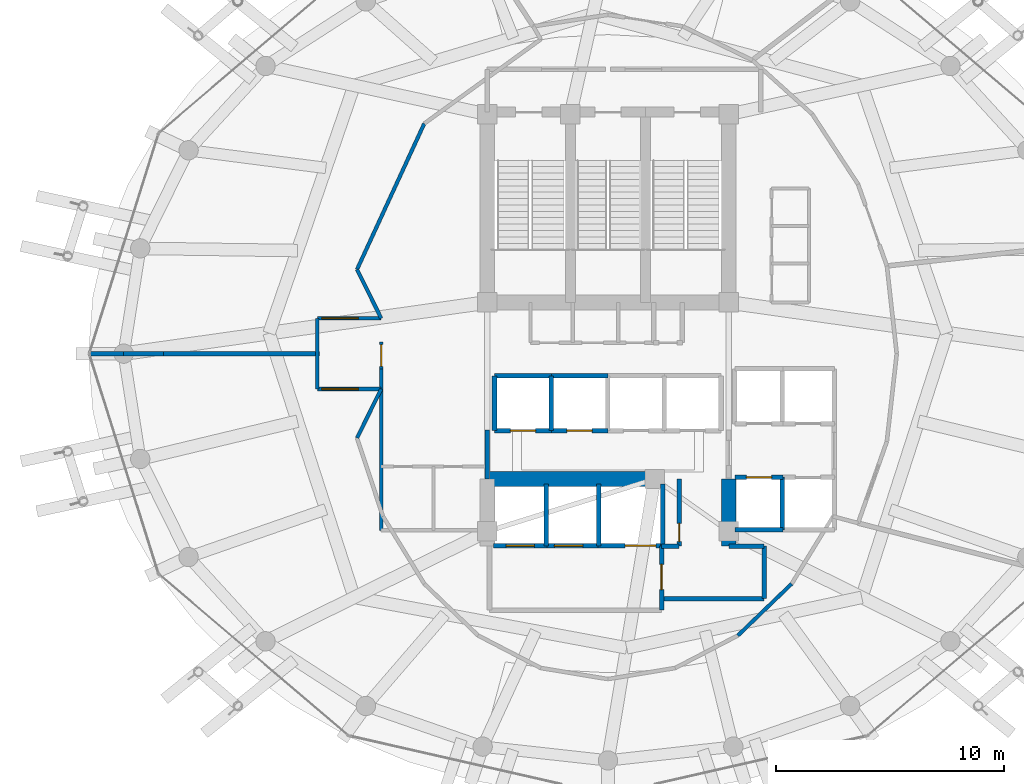
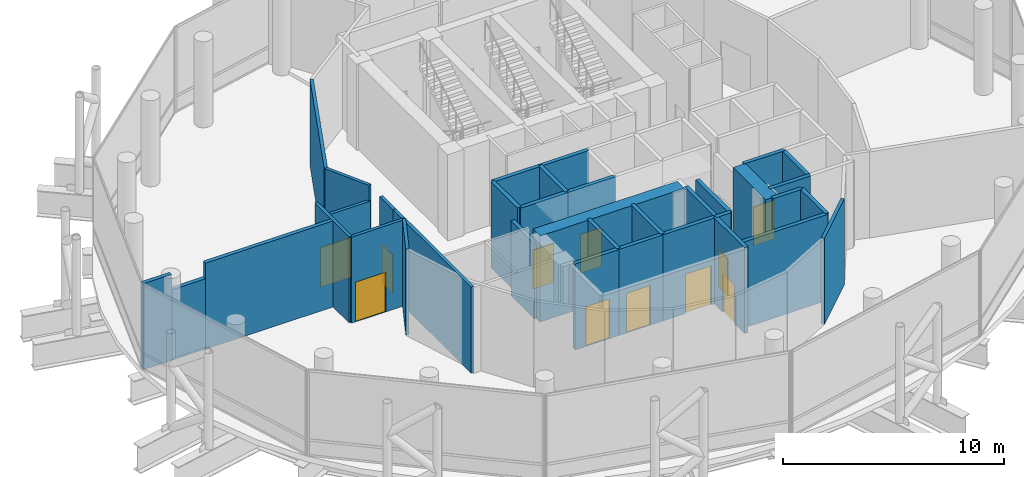
# One storey, part 24 of 31: 36 walls, 11 doors, 11 openings.
"""IFC4 building model written with IfcOpenShell, lengths in metres."""

from ifc_helpers import new_model, si_unit, direction, frame, frame_2d, origin, place, context, subcontext, project, spatial, rectangle, extrude, material, layer, layer_set, type_object, element, fill, save


model = new_model("IFC4")

# Units and contexts
model_context = context("Model", 3, precision=1e-05, world=origin(), true_north=direction((0.0, 1.0)))
body_context = subcontext(model_context, "Body", "Model", "MODEL_VIEW")
ifc_project = project(units=[si_unit("LENGTHUNIT", "METRE"), si_unit("AREAUNIT", "SQUARE_METRE"), si_unit("VOLUMEUNIT", "CUBIC_METRE"), si_unit("PLANEANGLEUNIT", "RADIAN"), si_unit("MASSUNIT", "GRAM", prefix="KILO")], contexts=[model_context])

# Site, building, storey
site_placement = place(None, origin())
site = spatial("IfcSite", under=ifc_project, at=site_placement, CompositionType="ELEMENT")
building_placement = place(site_placement, origin())
building = spatial("IfcBuilding", under=site, at=building_placement, Name="Nuhasar Tower", CompositionType="ELEMENT")
storey_placement = place(building_placement, frame((0.0, 0.0, 203.14990234375)))
storey = spatial("IfcBuildingStorey", under=building, at=storey_placement, Name="L49", CompositionType="ELEMENT", Elevation=203.14990234375)

# Walls
ifc_material_1 = material(Name="Concrete C65/80", Category="concrete")
ifc_layer_1 = layer(ifc_material_1, 0.64990234375)
ifc_layer_set_1 = layer_set([ifc_layer_1], Name="Concrete C65/80")
wall_type_1 = type_object("IfcWallType", Name="WL-CORE-650", PredefinedType="SHEAR", material=ifc_layer_set_1)
wall_1_placement = place(storey_placement, frame((44.300048828125, 18.35009765625, 0.0), z_axis=(0.0, 0.0, 1.0), x_axis=(0.0, 1.0, 0.0)))
element("IfcWall", 1, at=wall_1_placement, inside=storey, type_object=wall_type_1, Name="L49 Core Shear Wall CW-SE CW-650", PredefinedType="SHEAR", context=body_context, shape_type="SweptSolid", body=[
    extrude(rectangle(XDim=2.949951171875, YDim=0.64990234375, at=frame_2d((1.47509765625, 0.0))), origin(), (0.0, 0.0, 1.0), 4.760009765625),
])
wall_2_placement = place(storey_placement, frame((33.699951171875, 21.300048828125, 0.0), z_axis=(0.0, 0.0, 1.0), x_axis=(1.0, 0.0, 0.0)))
element("IfcWall", 2, at=wall_2_placement, inside=storey, type_object=wall_type_1, Name="L49 Core Shear Wall CW-S1 CW-650", PredefinedType="SHEAR", context=body_context, shape_type="SweptSolid", body=[
    extrude(rectangle(XDim=7.550048828125, YDim=0.64990234375, at=frame_2d((3.77490234375, 0.0))), origin(), (0.0, 0.0, 1.0), 4.760009765625),
])
ifc_material_2 = material(Name="Gypsum Board", Category="gypsum")
ifc_layer_2 = layer(ifc_material_2, 0.159912109375)
ifc_layer_set_2 = layer_set([ifc_layer_2], Name="Gypsum Board")
wall_type_2 = type_object("IfcWallType", Name="WL-CORR-160", PredefinedType="PARTITIONING", material=ifc_layer_set_2)
wall_3_placement = place(storey_placement, frame((29.050048828125, 19.050048828125, 0.0), z_axis=(0.0, 0.0, 1.0), x_axis=(0.0, 1.0, 0.0)))
element("IfcWall", 3, at=wall_3_placement, inside=storey, type_object=wall_type_2, Name="L49 Interior Partition RECL-B1-W", PredefinedType="PARTITIONING", context=body_context, shape_type="SweptSolid", body=[
    extrude(rectangle(XDim=7.070068359375, YDim=0.159912109375, at=frame_2d((3.53515625, 0.0))), origin(), (0.0, 0.0, 1.0), 4.760009765625),
])

# Wall, opening, door
wall_4_placement = place(storey_placement, frame((29.050048828125, 26.1201171875, 0.0), z_axis=(0.0, 0.0, 1.0), x_axis=(0.0, 1.0, 0.0)))
wall_4 = element("IfcWall", 4, at=wall_4_placement, inside=storey, type_object=wall_type_2, Name="L49 Interior Partition WVEST-E", PredefinedType="PARTITIONING", context=body_context, shape_type="SweptSolid", body=[
    extrude(rectangle(XDim=1.199951171875, YDim=0.159912109375, at=frame_2d((0.60009765625, 0.0))), origin(), (0.0, 0.0, 1.0), 4.760009765625),
])
opening_1_placement = place(wall_4_placement, frame((0.125, 0.0, 0.0)))
opening_1 = element("IfcOpeningElement", 5, at=opening_1_placement, cuts=wall_4, Name="Opening DO-01", PredefinedType="OPENING", context=body_context, shape_type="SweptSolid", body=[
    extrude(rectangle(XDim=0.949951171875, YDim=2.14990234375, at=frame_2d((0.47509765625, 1.074951171875))), frame((0.0, 0.08984375, 0.0), z_axis=(0.0, -1.0, 0.0), x_axis=(1.0, 0.0, 0.0)), (0.0, 0.0, 1.0), 0.179931640625),
])
ifc_material_3 = material(Name="Timber Oak", Category="wood")
door_type_1 = type_object("IfcDoorType", Name="DR-OFFICE-FD30-950", OperationType="NOTDEFINED", PredefinedType="DOOR", material=ifc_material_3)
door_1_placement = place(opening_1_placement, origin())
door_1 = element("IfcDoor", 6, at=door_1_placement, inside=storey, type_object=door_type_1, Name="L49 West Arrival Foyer Core Door", OperationType="SINGLE_SWING_RIGHT", OverallHeight=2.14990234375, OverallWidth=0.949951171875, PredefinedType="DOOR", context=body_context, shape_type="SweptSolid", body=[
    extrude(rectangle(XDim=0.949951171875, YDim=2.14990234375, at=frame_2d((0.47509765625, 1.074951171875))), frame((0.0, 0.02490234375, 0.0), z_axis=(0.0, -1.0, 0.0), x_axis=(1.0, 0.0, 0.0)), (0.0, 0.0, 1.0), 0.050048828125),
])
fill(opening_1, door_1)

# Walls
wall_5_placement = place(storey_placement, frame((30.93896484375, 36.89697265625, 0.0), z_axis=(0.0, 0.0, 1.0), x_axis=(-0.41866934876, -0.908138742929, 0.0)))
element("IfcWall", 7, at=wall_5_placement, inside=storey, type_object=wall_type_2, Name="L49 Interior Partition SWEST-CORE-N-18", PredefinedType="PARTITIONING", context=body_context, shape_type="SweptSolid", body=[
    extrude(rectangle(XDim=7.04833984375, YDim=0.159912109375, at=frame_2d((3.524169921875, 0.0))), origin(), (0.0, 0.0, 1.0), 4.760009765625),
])
wall_6_placement = place(storey_placement, frame((44.699951171875, 14.43310546875, 0.0), z_axis=(0.0, 0.0, 1.0), x_axis=(0.72090897908, 0.693029756851, 0.0)))
element("IfcWall", 8, at=wall_6_placement, inside=storey, type_object=wall_type_2, Name="L49 Interior Partition SWEST-CORE-S-40", PredefinedType="PARTITIONING", context=body_context, shape_type="SweptSolid", body=[
    extrude(rectangle(XDim=3.275146484375, YDim=0.159912109375, at=frame_2d((1.6376953125, 0.0))), origin(), (0.0, 0.0, 1.0), 4.760009765625),
])

# Wall, opening, door
wall_7_placement = place(storey_placement, frame((26.25, 28.35009765625, 0.0), z_axis=(0.0, 0.0, 1.0), x_axis=(1.0, 0.0, 0.0)))
wall_7 = element("IfcWall", 9, at=wall_7_placement, inside=storey, type_object=wall_type_2, Name="L49 Interior Partition WVEST-N", PredefinedType="PARTITIONING", context=body_context, shape_type="SweptSolid", body=[
    extrude(rectangle(XDim=2.800048828125, YDim=0.159912109375, at=frame_2d((1.39990234375, 0.0))), origin(), (0.0, 0.0, 1.0), 3.900146484375),
])
opening_2_placement = place(wall_7_placement, frame((0.199951171875, 0.0, 0.0)))
opening_2 = element("IfcOpeningElement", 10, at=opening_2_placement, cuts=wall_7, Name="Opening DC-01", PredefinedType="OPENING", context=body_context, shape_type="SweptSolid", body=[
    extrude(rectangle(XDim=1.60009765625, YDim=2.199951171875, at=frame_2d((0.800048828125, 1.10009765625))), frame((0.0, 0.08984375, 0.0), z_axis=(0.0, -1.0, 0.0), x_axis=(1.0, 0.0, 0.0)), (0.0, 0.0, 1.0), 0.179931640625),
])
ifc_material_4 = material(Name="Steel S355", Category="steel")
door_type_2 = type_object("IfcDoorType", Name="DR-CORR-FD60-1600", OperationType="DOUBLE_DOOR_SINGLE_SWING", PredefinedType="DOOR", material=ifc_material_4)
door_2_placement = place(opening_2_placement, origin())
door_2 = element("IfcDoor", 11, at=door_2_placement, inside=storey, type_object=door_type_2, Name="L49 North-West Catering Kitchen Entrance", OperationType="DOUBLE_DOOR_SINGLE_SWING", OverallHeight=2.199951171875, OverallWidth=1.60009765625, PredefinedType="DOOR", context=body_context, shape_type="SweptSolid", body=[
    extrude(rectangle(XDim=1.60009765625, YDim=2.199951171875, at=frame_2d((0.800048828125, 1.10009765625))), frame((0.0, 0.02490234375, 0.0), z_axis=(0.0, -1.0, 0.0), x_axis=(1.0, 0.0, 0.0)), (0.0, 0.0, 1.0), 0.050048828125),
])
fill(opening_2, door_2)

wall_8_placement = place(storey_placement, frame((26.25, 25.25, 0.0), z_axis=(0.0, 0.0, 1.0), x_axis=(1.0, 0.0, 0.0)))
wall_8 = element("IfcWall", 12, at=wall_8_placement, inside=storey, type_object=wall_type_2, Name="L49 Interior Partition WVEST-S", PredefinedType="PARTITIONING", context=body_context, shape_type="SweptSolid", body=[
    extrude(rectangle(XDim=2.800048828125, YDim=0.159912109375, at=frame_2d((1.39990234375, 0.0))), origin(), (0.0, 0.0, 1.0), 4.760009765625),
])
opening_3_placement = place(wall_8_placement, frame((0.199951171875, 0.0, 0.0)))
opening_3 = element("IfcOpeningElement", 13, at=opening_3_placement, cuts=wall_8, Name="Opening DC-01", PredefinedType="OPENING", context=body_context, shape_type="SweptSolid", body=[
    extrude(rectangle(XDim=1.60009765625, YDim=2.199951171875, at=frame_2d((0.800048828125, 1.10009765625))), frame((0.0, 0.08984375, 0.0), z_axis=(0.0, -1.0, 0.0), x_axis=(1.0, 0.0, 0.0)), (0.0, 0.0, 1.0), 0.179931640625),
])
door_3_placement = place(opening_3_placement, origin())
door_3 = element("IfcDoor", 14, at=door_3_placement, inside=storey, type_object=door_type_2, Name="L49 South-West Boutique Entrance", OperationType="DOUBLE_DOOR_SINGLE_SWING", OverallHeight=2.199951171875, OverallWidth=1.60009765625, PredefinedType="DOOR", context=body_context, shape_type="SweptSolid", body=[
    extrude(rectangle(XDim=1.60009765625, YDim=2.199951171875, at=frame_2d((0.800048828125, 1.10009765625))), frame((0.0, 0.02490234375, 0.0), z_axis=(0.0, -1.0, 0.0), x_axis=(1.0, 0.0, 0.0)), (0.0, 0.0, 1.0), 0.050048828125),
])
fill(opening_3, door_3)

# Walls
wall_9_placement = place(storey_placement, frame((26.25, 25.25, 0.0), z_axis=(0.0, 0.0, 1.0), x_axis=(0.0, 1.0, 0.0)))
element("IfcWall", 15, at=wall_9_placement, inside=storey, type_object=wall_type_2, Name="L49 Interior Partition WVEST-W", PredefinedType="PARTITIONING", context=body_context, shape_type="SweptSolid", body=[
    extrude(rectangle(XDim=3.10009765625, YDim=0.159912109375, at=frame_2d((1.550048828125, 0.0))), origin(), (0.0, 0.0, 1.0), 4.760009765625),
])
for number, where, z_axis, x_axis, name in (
    (16, (27.988037109375, 30.49609375, 0.0), (0.0, 0.0, 1.0), (0.443539160525, -0.896254993337, 0.0), "L49 Interior Partition WVEST-CN"),
    (17, (27.988037109375, 23.10400390625, 0.0), (0.0, 0.0, 1.0), (0.443539160525, 0.896254993337, 0.0), "L49 Interior Partition WVEST-CS"),
):
    element("IfcWall", number, at=place(storey_placement, frame(where, z_axis=z_axis, x_axis=x_axis)), inside=storey, type_object=wall_type_2, Name=name, PredefinedType="PARTITIONING", context=body_context, shape_type="SweptSolid", body=[
        extrude(rectangle(XDim=2.394287109375, YDim=0.159912109375, at=frame_2d((1.197265625, 0.0))), origin(), (0.0, 0.0, 1.0), 4.760009765625),
    ])
ifc_material_5 = material(Name="Concrete C45/55", Category="concrete")
ifc_layer_3 = layer(ifc_material_5, 0.199951171875)
ifc_layer_set_3 = layer_set([ifc_layer_3], Name="Concrete C45/55")
wall_type_3 = type_object("IfcWallType", Name="WL-LOBBY-200", PredefinedType="SOLIDWALL", material=ifc_layer_set_3)
wall_10_placement = place(storey_placement, frame((33.699951171875, 21.300048828125, 0.0), z_axis=(0.0, 0.0, 1.0), x_axis=(0.0, 1.0, 0.0)))
element("IfcWall", 18, at=wall_10_placement, inside=storey, type_object=wall_type_3, Name="L49 Interior Partition LLBH-W", PredefinedType="SOLIDWALL", context=body_context, shape_type="SweptSolid", body=[
    extrude(rectangle(XDim=2.14990234375, YDim=0.199951171875, at=frame_2d((1.074951171875, 0.0))), origin(), (0.0, 0.0, 1.0), 4.14501953125),
])

# Wall, opening, door
wall_11_placement = place(storey_placement, frame((41.35009765625, 15.550048828125, 0.0), z_axis=(0.0, 0.0, 1.0), x_axis=(0.0, 1.0, 0.0)))
wall_11 = element("IfcWall", 19, at=wall_11_placement, inside=storey, type_object=wall_type_3, Name="L49 Interior Partition FFL-E", PredefinedType="SOLIDWALL", context=body_context, shape_type="SweptSolid", body=[
    extrude(rectangle(XDim=2.800048828125, YDim=0.199951171875, at=frame_2d((1.39990234375, 0.0))), origin(), (0.0, 0.0, 1.0), 4.760009765625),
])
opening_4_placement = place(wall_11_placement, frame((0.89990234375, 0.0, 0.0)))
opening_4 = element("IfcOpeningElement", 20, at=opening_4_placement, cuts=wall_11, Name="Opening DS-02", PredefinedType="OPENING", context=body_context, shape_type="SweptSolid", body=[
    extrude(rectangle(XDim=1.10009765625, YDim=2.14990234375, at=frame_2d((0.550048828125, 1.074951171875))), frame((0.0, 0.10986328125, 0.0), z_axis=(0.0, -1.0, 0.0), x_axis=(1.0, 0.0, 0.0)), (0.0, 0.0, 1.0), 0.219970703125),
])
door_type_3 = type_object("IfcDoorType", Name="DR-FFL-FD120-1100", OperationType="NOTDEFINED", PredefinedType="DOOR", material=ifc_material_4)
door_4_placement = place(opening_4_placement, origin())
door_4 = element("IfcDoor", 21, at=door_4_placement, inside=storey, type_object=door_type_3, Name="L49 Firefighting Lobby Door", OperationType="SINGLE_SWING_RIGHT", OverallHeight=2.14990234375, OverallWidth=1.10009765625, PredefinedType="DOOR", context=body_context, shape_type="SweptSolid", body=[
    extrude(rectangle(XDim=1.10009765625, YDim=2.14990234375, at=frame_2d((0.550048828125, 1.074951171875))), frame((0.0, 0.02490234375, 0.0), z_axis=(0.0, -1.0, 0.0), x_axis=(1.0, 0.0, 0.0)), (0.0, 0.0, 1.0), 0.050048828125),
])
fill(opening_4, door_4)

# Walls
wall_12_placement = place(storey_placement, frame((41.35009765625, 16.050048828125, 0.0), z_axis=(0.0, 0.0, 1.0), x_axis=(1.0, 0.0, 0.0)))
element("IfcWall", 22, at=wall_12_placement, inside=storey, type_object=wall_type_3, Name="L49 Interior Partition SVLV-S", PredefinedType="SOLIDWALL", context=body_context, shape_type="SweptSolid", body=[
    extrude(rectangle(XDim=4.5, YDim=0.199951171875, at=frame_2d((2.25, 0.0))), origin(), (0.0, 0.0, 1.0), 4.760009765625),
])
wall_13_placement = place(storey_placement, frame((45.85009765625, 16.050048828125, 0.0), z_axis=(0.0, 0.0, 1.0), x_axis=(0.0, 1.0, 0.0)))
element("IfcWall", 23, at=wall_13_placement, inside=storey, type_object=wall_type_3, Name="L49 Interior Partition SVLV-E", PredefinedType="SOLIDWALL", context=body_context, shape_type="SweptSolid", body=[
    extrude(rectangle(XDim=2.300048828125, YDim=0.199951171875, at=frame_2d((1.14990234375, 0.0))), origin(), (0.0, 0.0, 1.0), 4.760009765625),
])
wall_14_placement = place(storey_placement, frame((44.300048828125, 18.35009765625, 0.0), z_axis=(0.0, 0.0, 1.0), x_axis=(1.0, 0.0, 0.0)))
element("IfcWall", 24, at=wall_14_placement, inside=storey, type_object=wall_type_3, Name="L49 Interior Partition SVLV-N", PredefinedType="SOLIDWALL", context=body_context, shape_type="SweptSolid", body=[
    extrude(rectangle(XDim=1.550048828125, YDim=0.199951171875, at=frame_2d((0.77490234375, 0.0))), origin(), (0.0, 0.0, 1.0), 4.760009765625),
])
ifc_layer_4 = layer(ifc_material_5, 0.199951171875)
ifc_layer_set_4 = layer_set([ifc_layer_4], Name="Concrete C45/55")
wall_type_4 = type_object("IfcWallType", Name="WL-SHAFT-200", PredefinedType="SOLIDWALL", material=ifc_layer_set_4)
wall_15_placement = place(storey_placement, frame((44.570068359375, 19.070068359375, 0.0), z_axis=(0.0, 0.0, 1.0), x_axis=(1.0, 0.0, 0.0)))
element("IfcWall", 25, at=wall_15_placement, inside=storey, type_object=wall_type_4, Name="L49 Interior Partition SHF-PL-M03-S", PredefinedType="SOLIDWALL", context=body_context, shape_type="SweptSolid", body=[
    extrude(rectangle(XDim=2.10986328125, YDim=0.199951171875, at=frame_2d((1.054931640625, 0.0))), origin(), (0.0, 0.0, 1.0), 4.760009765625),
])

# Wall, opening, door
wall_16_placement = place(storey_placement, frame((44.570068359375, 21.3798828125, 0.0), z_axis=(0.0, 0.0, 1.0), x_axis=(1.0, 0.0, 0.0)))
wall_16 = element("IfcWall", 26, at=wall_16_placement, inside=storey, type_object=wall_type_4, Name="L49 Interior Partition SHF-PL-M03-N", PredefinedType="SOLIDWALL", context=body_context, shape_type="SweptSolid", body=[
    extrude(rectangle(XDim=2.10986328125, YDim=0.199951171875, at=frame_2d((1.054931640625, 0.0))), origin(), (0.0, 0.0, 1.0), 4.760009765625),
])
opening_5_placement = place(wall_16_placement, frame((0.5048828125, 0.0, 0.0)))
opening_5 = element("IfcOpeningElement", 27, at=opening_5_placement, cuts=wall_16, Name="Opening LD-M03", PredefinedType="OPENING", context=body_context, shape_type="SweptSolid", body=[
    extrude(rectangle(XDim=1.10009765625, YDim=2.14990234375, at=frame_2d((0.550048828125, 1.074951171875))), frame((0.0, 0.10986328125, 0.0), z_axis=(0.0, -1.0, 0.0), x_axis=(1.0, 0.0, 0.0)), (0.0, 0.0, 1.0), 0.219970703125),
])
ifc_material_6 = material(Name="Stainless Steel 316L", Category="steel")
door_type_4 = type_object("IfcDoorType", Name="LD-PAX-1100", OperationType="DOUBLE_DOOR_SLIDING", PredefinedType="DOOR", material=ifc_material_6)
door_5_placement = place(opening_5_placement, origin())
door_5 = element("IfcDoor", 28, at=door_5_placement, inside=storey, type_object=door_type_4, Name="L49 Lift Landing Door PL-M03", OperationType="DOUBLE_DOOR_SLIDING", OverallHeight=2.14990234375, OverallWidth=1.10009765625, PredefinedType="DOOR", context=body_context, shape_type="SweptSolid", body=[
    extrude(rectangle(XDim=1.10009765625, YDim=2.14990234375, at=frame_2d((0.550048828125, 1.074951171875))), frame((0.0, 0.02490234375, 0.0), z_axis=(0.0, -1.0, 0.0), x_axis=(1.0, 0.0, 0.0)), (0.0, 0.0, 1.0), 0.050048828125),
])
fill(opening_5, door_5)

# Wall
wall_17_placement = place(storey_placement, frame((46.64990234375, 19.070068359375, 0.0), z_axis=(0.0, 0.0, 1.0), x_axis=(0.0, 1.0, 0.0)))
element("IfcWall", 29, at=wall_17_placement, inside=storey, type_object=wall_type_4, Name="L49 Interior Partition SHF-PL-M03-E", PredefinedType="SOLIDWALL", context=body_context, shape_type="SweptSolid", body=[
    extrude(rectangle(XDim=2.309814453125, YDim=0.199951171875, at=frame_2d((1.15478515625, 0.0))), origin(), (0.0, 0.0, 1.0), 4.760009765625),
])

# Wall, opening, door
wall_18_placement = place(storey_placement, frame((34.02001953125, 23.419921875, 0.0), z_axis=(0.0, 0.0, 1.0), x_axis=(1.0, 0.0, 0.0)))
wall_18 = element("IfcWall", 30, at=wall_18_placement, inside=storey, type_object=wall_type_4, Name="L49 Interior Partition SHF-PL-H01-S", PredefinedType="SOLIDWALL", context=body_context, shape_type="SweptSolid", body=[
    extrude(rectangle(XDim=2.5, YDim=0.199951171875, at=frame_2d((1.25, 0.0))), origin(), (0.0, 0.0, 1.0), 4.760009765625),
])
opening_6_placement = place(wall_18_placement, frame((0.699951171875, 0.0, 0.0)))
opening_6 = element("IfcOpeningElement", 31, at=opening_6_placement, cuts=wall_18, Name="Opening LD-H01", PredefinedType="OPENING", context=body_context, shape_type="SweptSolid", body=[
    extrude(rectangle(XDim=1.10009765625, YDim=2.14990234375, at=frame_2d((0.550048828125, 1.074951171875))), frame((0.0, 0.10986328125, 0.0), z_axis=(0.0, -1.0, 0.0), x_axis=(1.0, 0.0, 0.0)), (0.0, 0.0, 1.0), 0.219970703125),
])
door_6_placement = place(opening_6_placement, origin())
door_6 = element("IfcDoor", 32, at=door_6_placement, inside=storey, type_object=door_type_4, Name="L49 Lift Landing Door PL-H01", OperationType="DOUBLE_DOOR_SLIDING", OverallHeight=2.14990234375, OverallWidth=1.10009765625, PredefinedType="DOOR", context=body_context, shape_type="SweptSolid", body=[
    extrude(rectangle(XDim=1.10009765625, YDim=2.14990234375, at=frame_2d((0.550048828125, 1.074951171875))), frame((0.0, 0.02490234375, 0.0), z_axis=(0.0, -1.0, 0.0), x_axis=(1.0, 0.0, 0.0)), (0.0, 0.0, 1.0), 0.050048828125),
])
fill(opening_6, door_6)

# Walls
wall_19_placement = place(storey_placement, frame((34.02001953125, 25.830078125, 0.0), z_axis=(0.0, 0.0, 1.0), x_axis=(1.0, 0.0, 0.0)))
element("IfcWall", 33, at=wall_19_placement, inside=storey, type_object=wall_type_4, Name="L49 Interior Partition SHF-PL-H01-N", PredefinedType="SOLIDWALL", context=body_context, shape_type="SweptSolid", body=[
    extrude(rectangle(XDim=2.5, YDim=0.199951171875, at=frame_2d((1.25, 0.0))), origin(), (0.0, 0.0, 1.0), 4.760009765625),
])
for number, where, z_axis, x_axis, name in (
    (34, (34.02001953125, 23.419921875, 0.0), (0.0, 0.0, 1.0), (0.0, 1.0, 0.0), "L49 Interior Partition SHF-PL-H01-W"),
    (35, (36.510009765625, 23.419921875, 0.0), (0.0, 0.0, 1.0), (0.0, 1.0, 0.0), "L49 Interior Partition SHF-PL-H01-E"),
):
    element("IfcWall", number, at=place(storey_placement, frame(where, z_axis=z_axis, x_axis=x_axis)), inside=storey, type_object=wall_type_4, Name=name, PredefinedType="SOLIDWALL", context=body_context, shape_type="SweptSolid", body=[
        extrude(rectangle(XDim=2.41015625, YDim=0.199951171875, at=frame_2d((1.205078125, 0.0))), origin(), (0.0, 0.0, 1.0), 4.760009765625),
    ])

# Wall, opening, door
wall_20_placement = place(storey_placement, frame((36.5, 23.419921875, 0.0), z_axis=(0.0, 0.0, 1.0), x_axis=(1.0, 0.0, 0.0)))
wall_20 = element("IfcWall", 36, at=wall_20_placement, inside=storey, type_object=wall_type_4, Name="L49 Interior Partition SHF-PL-H02-S", PredefinedType="SOLIDWALL", context=body_context, shape_type="SweptSolid", body=[
    extrude(rectangle(XDim=2.5, YDim=0.199951171875, at=frame_2d((1.25, 0.0))), origin(), (0.0, 0.0, 1.0), 4.760009765625),
])
opening_7_placement = place(wall_20_placement, frame((0.699951171875, 0.0, 0.0)))
opening_7 = element("IfcOpeningElement", 37, at=opening_7_placement, cuts=wall_20, Name="Opening LD-H02", PredefinedType="OPENING", context=body_context, shape_type="SweptSolid", body=[
    extrude(rectangle(XDim=1.10009765625, YDim=2.14990234375, at=frame_2d((0.550048828125, 1.074951171875))), frame((0.0, 0.10986328125, 0.0), z_axis=(0.0, -1.0, 0.0), x_axis=(1.0, 0.0, 0.0)), (0.0, 0.0, 1.0), 0.219970703125),
])
door_7_placement = place(opening_7_placement, origin())
door_7 = element("IfcDoor", 38, at=door_7_placement, inside=storey, type_object=door_type_4, Name="L49 Lift Landing Door PL-H02", OperationType="DOUBLE_DOOR_SLIDING", OverallHeight=2.14990234375, OverallWidth=1.10009765625, PredefinedType="DOOR", context=body_context, shape_type="SweptSolid", body=[
    extrude(rectangle(XDim=1.10009765625, YDim=2.14990234375, at=frame_2d((0.550048828125, 1.074951171875))), frame((0.0, 0.02490234375, 0.0), z_axis=(0.0, -1.0, 0.0), x_axis=(1.0, 0.0, 0.0)), (0.0, 0.0, 1.0), 0.050048828125),
])
fill(opening_7, door_7)

# Wall
wall_21_placement = place(storey_placement, frame((36.5, 25.830078125, 0.0), z_axis=(0.0, 0.0, 1.0), x_axis=(1.0, 0.0, 0.0)))
element("IfcWall", 39, at=wall_21_placement, inside=storey, type_object=wall_type_4, Name="L49 Interior Partition SHF-PL-H02-N", PredefinedType="SOLIDWALL", context=body_context, shape_type="SweptSolid", body=[
    extrude(rectangle(XDim=2.5, YDim=0.199951171875, at=frame_2d((1.25, 0.0))), origin(), (0.0, 0.0, 1.0), 4.760009765625),
])

# Wall, opening, door
wall_22_placement = place(storey_placement, frame((33.969970703125, 18.3701171875, 0.0), z_axis=(0.0, 0.0, 1.0), x_axis=(1.0, 0.0, 0.0)))
wall_22 = element("IfcWall", 40, at=wall_22_placement, inside=storey, type_object=wall_type_4, Name="L49 Interior Partition SHF-FFL-01-S", PredefinedType="SOLIDWALL", context=body_context, shape_type="SweptSolid", body=[
    extrude(rectangle(XDim=2.360107421875, YDim=0.199951171875, at=frame_2d((1.18017578125, 0.0))), origin(), (0.0, 0.0, 1.0), 4.760009765625),
])
opening_8_placement = place(wall_22_placement, frame((0.554931640625, 0.0, 0.0)))
opening_8 = element("IfcOpeningElement", 41, at=opening_8_placement, cuts=wall_22, Name="Opening LD-F01", PredefinedType="OPENING", context=body_context, shape_type="SweptSolid", body=[
    extrude(rectangle(XDim=1.25, YDim=2.199951171875, at=frame_2d((0.625, 1.10009765625))), frame((0.0, 0.10986328125, 0.0), z_axis=(0.0, -1.0, 0.0), x_axis=(1.0, 0.0, 0.0)), (0.0, 0.0, 1.0), 0.219970703125),
])
door_type_5 = type_object("IfcDoorType", Name="LD-FFL-1250", OperationType="DOUBLE_DOOR_SLIDING", PredefinedType="DOOR", material=ifc_material_6)
door_8_placement = place(opening_8_placement, origin())
door_8 = element("IfcDoor", 42, at=door_8_placement, inside=storey, type_object=door_type_5, Name="L49 Lift Landing Door FFL-01", OperationType="DOUBLE_DOOR_SLIDING", OverallHeight=2.199951171875, OverallWidth=1.25, PredefinedType="DOOR", context=body_context, shape_type="SweptSolid", body=[
    extrude(rectangle(XDim=1.25, YDim=2.199951171875, at=frame_2d((0.625, 1.10009765625))), frame((0.0, 0.02490234375, 0.0), z_axis=(0.0, -1.0, 0.0), x_axis=(1.0, 0.0, 0.0)), (0.0, 0.0, 1.0), 0.050048828125),
])
fill(opening_8, door_8)

# Wall
wall_23_placement = place(storey_placement, frame((36.300048828125, 18.3701171875, 0.0), z_axis=(0.0, 0.0, 1.0), x_axis=(0.0, 1.0, 0.0)))
element("IfcWall", 43, at=wall_23_placement, inside=storey, type_object=wall_type_4, Name="L49 Interior Partition SHF-FFL-01-E", PredefinedType="SOLIDWALL", context=body_context, shape_type="SweptSolid", body=[
    extrude(rectangle(XDim=2.7099609375, YDim=0.199951171875, at=frame_2d((1.35498046875, 0.0))), origin(), (0.0, 0.0, 1.0), 4.760009765625),
])

# Wall, opening, door
wall_24_placement = place(storey_placement, frame((36.27001953125, 18.3701171875, 0.0), z_axis=(0.0, 0.0, 1.0), x_axis=(1.0, 0.0, 0.0)))
wall_24 = element("IfcWall", 44, at=wall_24_placement, inside=storey, type_object=wall_type_4, Name="L49 Interior Partition SHF-FFL-02-S", PredefinedType="SOLIDWALL", context=body_context, shape_type="SweptSolid", body=[
    extrude(rectangle(XDim=2.35986328125, YDim=0.199951171875, at=frame_2d((1.179931640625, 0.0))), origin(), (0.0, 0.0, 1.0), 4.760009765625),
])
opening_9_placement = place(wall_24_placement, frame((0.3798828125, 0.0, 0.0)))
opening_9 = element("IfcOpeningElement", 45, at=opening_9_placement, cuts=wall_24, Name="Opening LD-F02", PredefinedType="OPENING", context=body_context, shape_type="SweptSolid", body=[
    extrude(rectangle(XDim=1.25, YDim=2.199951171875, at=frame_2d((0.625, 1.10009765625))), frame((0.0, 0.10986328125, 0.0), z_axis=(0.0, -1.0, 0.0), x_axis=(1.0, 0.0, 0.0)), (0.0, 0.0, 1.0), 0.219970703125),
])
door_9_placement = place(opening_9_placement, origin())
door_9 = element("IfcDoor", 46, at=door_9_placement, inside=storey, type_object=door_type_5, Name="L49 Lift Landing Door FFL-02", OperationType="DOUBLE_DOOR_SLIDING", OverallHeight=2.199951171875, OverallWidth=1.25, PredefinedType="DOOR", context=body_context, shape_type="SweptSolid", body=[
    extrude(rectangle(XDim=1.25, YDim=2.199951171875, at=frame_2d((0.625, 1.10009765625))), frame((0.0, 0.02490234375, 0.0), z_axis=(0.0, -1.0, 0.0), x_axis=(1.0, 0.0, 0.0)), (0.0, 0.0, 1.0), 0.050048828125),
])
fill(opening_9, door_9)

# Wall
wall_25_placement = place(storey_placement, frame((38.60009765625, 18.3701171875, 0.0), z_axis=(0.0, 0.0, 1.0), x_axis=(0.0, 1.0, 0.0)))
element("IfcWall", 47, at=wall_25_placement, inside=storey, type_object=wall_type_4, Name="L49 Interior Partition SHF-FFL-02-E", PredefinedType="SOLIDWALL", context=body_context, shape_type="SweptSolid", body=[
    extrude(rectangle(XDim=2.7099609375, YDim=0.199951171875, at=frame_2d((1.35498046875, 0.0))), origin(), (0.0, 0.0, 1.0), 4.760009765625),
])

# Wall, opening, door
wall_26_placement = place(storey_placement, frame((38.570068359375, 18.3701171875, 0.0), z_axis=(0.0, 0.0, 1.0), x_axis=(1.0, 0.0, 0.0)))
wall_26 = element("IfcWall", 48, at=wall_26_placement, inside=storey, type_object=wall_type_4, Name="L49 Interior Partition SHF-SVL-01-S", PredefinedType="SOLIDWALL", context=body_context, shape_type="SweptSolid", body=[
    extrude(rectangle(XDim=2.829833984375, YDim=0.199951171875, at=frame_2d((1.4150390625, 0.0))), origin(), (0.0, 0.0, 1.0), 4.760009765625),
])
opening_10_placement = place(wall_26_placement, frame((1.179931640625, 0.0, 0.0)))
opening_10 = element("IfcOpeningElement", 49, at=opening_10_placement, cuts=wall_26, Name="Opening LD-S01", PredefinedType="OPENING", context=body_context, shape_type="SweptSolid", body=[
    extrude(rectangle(XDim=1.35009765625, YDim=2.179931640625, at=frame_2d((0.675048828125, 1.08984375))), frame((0.0, 0.10986328125, 0.0), z_axis=(0.0, -1.0, 0.0), x_axis=(1.0, 0.0, 0.0)), (0.0, 0.0, 1.0), 0.219970703125),
])
door_type_6 = type_object("IfcDoorType", Name="LD-SVL-1350", OperationType="DOUBLE_DOOR_SLIDING", PredefinedType="DOOR", material=ifc_material_6)
door_10_placement = place(opening_10_placement, origin())
door_10 = element("IfcDoor", 50, at=door_10_placement, inside=storey, type_object=door_type_6, Name="L49 Lift Landing Door SVL-01", OperationType="DOUBLE_DOOR_SLIDING", OverallHeight=2.179931640625, OverallWidth=1.35009765625, PredefinedType="DOOR", context=body_context, shape_type="SweptSolid", body=[
    extrude(rectangle(XDim=1.35009765625, YDim=2.179931640625, at=frame_2d((0.675048828125, 1.08984375))), frame((0.0, 0.02490234375, 0.0), z_axis=(0.0, -1.0, 0.0), x_axis=(1.0, 0.0, 0.0)), (0.0, 0.0, 1.0), 0.050048828125),
])
fill(opening_10, door_10)

# Wall
wall_27_placement = place(storey_placement, frame((41.39990234375, 18.3701171875, 0.0), z_axis=(0.0, 0.0, 1.0), x_axis=(0.0, 1.0, 0.0)))
element("IfcWall", 51, at=wall_27_placement, inside=storey, type_object=wall_type_4, Name="L49 Interior Partition SHF-SVL-01-E", PredefinedType="SOLIDWALL", context=body_context, shape_type="SweptSolid", body=[
    extrude(rectangle(XDim=2.7099609375, YDim=0.199951171875, at=frame_2d((1.35498046875, 0.0))), origin(), (0.0, 0.0, 1.0), 4.760009765625),
])

# Wall, opening, door
wall_28_placement = place(storey_placement, frame((42.1201171875, 18.35009765625, 0.0), z_axis=(0.0, 0.0, 1.0), x_axis=(0.0, 1.0, 0.0)))
wall_28 = element("IfcWall", 52, at=wall_28_placement, inside=storey, type_object=wall_type_4, Name="L49 Interior Partition RSR-E", PredefinedType="SOLIDWALL", context=body_context, shape_type="SweptSolid", body=[
    extrude(rectangle(XDim=2.949951171875, YDim=0.199951171875, at=frame_2d((1.47509765625, 0.0))), origin(), (0.0, 0.0, 1.0), 4.760009765625),
])
opening_11_placement = place(wall_28_placement, frame((0.199951171875, 0.0, 0.0)))
opening_11 = element("IfcOpeningElement", 53, at=opening_11_placement, cuts=wall_28, Name="Opening DM-01", PredefinedType="OPENING", context=body_context, shape_type="SweptSolid", body=[
    extrude(rectangle(XDim=0.800048828125, YDim=2.050048828125, at=frame_2d((0.39990234375, 1.02490234375))), frame((0.0, 0.10986328125, 0.0), z_axis=(0.0, -1.0, 0.0), x_axis=(1.0, 0.0, 0.0)), (0.0, 0.0, 1.0), 0.219970703125),
])
door_type_7 = type_object("IfcDoorType", Name="DR-RISER-FD60-800", OperationType="NOTDEFINED", PredefinedType="DOOR", material=ifc_material_4)
door_11_placement = place(opening_11_placement, origin())
door_11 = element("IfcDoor", 54, at=door_11_placement, inside=storey, type_object=door_type_7, Name="L49 MEP Riser Access Door", OperationType="SINGLE_SWING_LEFT", OverallHeight=2.050048828125, OverallWidth=0.800048828125, PredefinedType="DOOR", context=body_context, shape_type="SweptSolid", body=[
    extrude(rectangle(XDim=0.800048828125, YDim=2.050048828125, at=frame_2d((0.39990234375, 1.02490234375))), frame((0.0, 0.02490234375, 0.0), z_axis=(0.0, -1.0, 0.0), x_axis=(1.0, 0.0, 0.0)), (0.0, 0.0, 1.0), 0.050048828125),
])
fill(opening_11, door_11)

# Walls
wall_29_placement = place(storey_placement, frame((41.35009765625, 18.35009765625, 0.0), z_axis=(0.0, 0.0, 1.0), x_axis=(1.0, 0.0, 0.0)))
element("IfcWall", 55, at=wall_29_placement, inside=storey, type_object=wall_type_4, Name="L49 Interior Partition RSR-S", PredefinedType="SOLIDWALL", context=body_context, shape_type="SweptSolid", body=[
    extrude(rectangle(XDim=0.77001953125, YDim=0.199951171875, at=frame_2d((0.385009765625, 0.0))), origin(), (0.0, 0.0, 1.0), 4.760009765625),
])
ifc_material_7 = material(Name="Concrete C40/50 precast", Category="concrete")
ifc_layer_5 = layer(ifc_material_7, 0.199951171875)
ifc_layer_set_5 = layer_set([ifc_layer_5], Name="Concrete C40/50 precast")
wall_type_5 = type_object("IfcWallType", Name="WL-UNIT-200", PredefinedType="PARTITIONING", material=ifc_layer_set_5)
wall_30_placement = place(storey_placement, frame((26.330078125, 26.800048828125, 0.0), z_axis=(0.0, 0.0, 1.0), x_axis=(-1.0, 0.0, 0.0)))
element("IfcWall", 56, at=wall_30_placement, inside=storey, type_object=wall_type_5, Name="L49 Interior Partition SWEST-DIV-S2", PredefinedType="PARTITIONING", context=body_context, shape_type="SweptSolid", body=[
    extrude(rectangle(XDim=6.826171875, YDim=0.199951171875, at=frame_2d((3.4130859375, 0.0))), origin(), (0.0, 0.0, 1.0), 4.760009765625),
])
wall_31_placement = place(storey_placement, frame((19.50390625, 26.800048828125, 0.0), z_axis=(0.0, 0.0, 1.0), x_axis=(-1.0, 0.0, 0.0)))
element("IfcWall", 57, at=wall_31_placement, inside=storey, type_object=wall_type_5, Name="L49 Interior Partition SWEST-DIV-S2", PredefinedType="PARTITIONING", context=body_context, shape_type="SweptSolid", body=[
    extrude(rectangle(XDim=1.767822265625, YDim=0.199951171875, at=frame_2d((0.8837890625, 0.0))), origin(), (0.0, 0.0, 1.0), 3.900146484375),
])
wall_32_placement = place(storey_placement, frame((17.736083984375, 26.800048828125, 0.0), z_axis=(0.0, 0.0, 1.0), x_axis=(-1.0, 0.0, 0.0)))
element("IfcWall", 58, at=wall_32_placement, inside=storey, type_object=wall_type_5, Name="L49 Interior Partition SWEST-DIV-S2", PredefinedType="PARTITIONING", context=body_context, shape_type="SweptSolid", body=[
    extrude(rectangle(XDim=1.461181640625, YDim=0.199951171875, at=frame_2d((0.73046875, 0.0))), origin(), (0.0, 0.0, 1.0), 4.760009765625),
])

save(model, "model.ifc")
